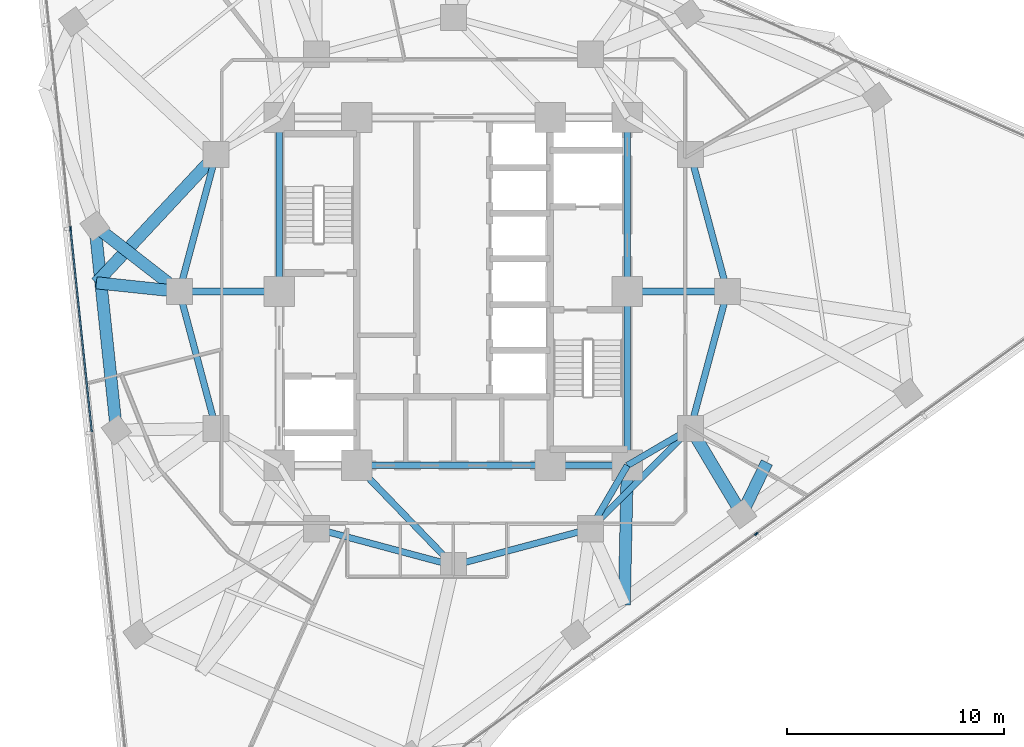
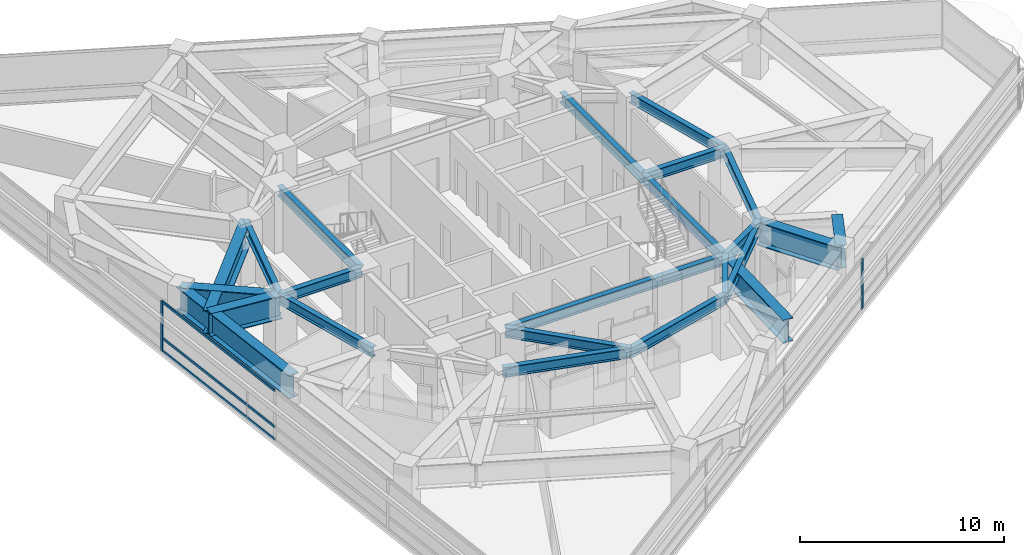
# One storey, part 3 of 14: 24 beams, 5 members, 2 elements without a shape of their own.
"""IFC4 building model written with IfcOpenShell, lengths in metres."""

import ifcopenshell
import ifcopenshell.guid

model = None  # the IFC model being written
_history = None  # IfcOwnerHistory: only IFC2X3 demands one
_inside = {}  # id of a spatial element -> (the spatial element, [elements in it])
_under = {}  # id of a project, library or spatial element -> (it, [spatial elements below it])
_declared = {}  # id of a project -> (the project, [libraries it declares])
_typed = {}  # id of a type object -> (the type object, [elements of that type])
_made_of = {}  # id of a material, layer set ... -> (it, [elements and type objects made of it])


def new_model(schema):
    """Start an empty IFC model of exactly this schema.

    Asked for "IFC4X3", IfcOpenShell would pick the latest addendum, in which some entities
    have other attributes; the version numbers below select the first issue.
    IFC2X3 requires an IfcOwnerHistory on every rooted entity: one is made here for all.
    """
    global model, _history
    if schema == "IFC4X3":
        model = ifcopenshell.file(schema_version=(4, 3, 0, 0))
    else:
        model = ifcopenshell.file(schema=schema)
    _inside.clear()
    _under.clear()
    _declared.clear()
    _typed.clear()
    _made_of.clear()
    _history = None
    if model.schema == "IFC2X3":
        org = make("IfcOrganization", Name="unknown")
        user = make(
            "IfcPersonAndOrganization",
            ThePerson=make("IfcPerson", FamilyName="unknown"),
            TheOrganization=org,
        )
        app = make(
            "IfcApplication",
            ApplicationDeveloper=org,
            Version="unknown",
            ApplicationFullName="unknown",
            ApplicationIdentifier="unknown",
        )
        _history = make(
            "IfcOwnerHistory",
            OwningUser=user,
            OwningApplication=app,
            ChangeAction="ADDED",
            CreationDate=0,
        )
    return model


def make(cls, **values):
    """One entity of the class cls with the attributes given. An attribute that is None is left unset."""
    return model.create_entity(
        cls, **{name: value for name, value in values.items() if value is not None}
    )


def rooted(cls, **values):
    """An entity with a GlobalId (a new one), such as an element, a storey or a relation."""
    return make(cls, GlobalId=ifcopenshell.guid.new(), OwnerHistory=_history, **values)


def si_unit(unit_type, name, prefix=None):
    """IfcSIUnit, for example si_unit("LENGTHUNIT", "METRE", prefix="MILLI")."""
    return make("IfcSIUnit", UnitType=unit_type, Prefix=prefix, Name=name)


def assignment(units):
    """IfcUnitAssignment: the units of a project."""
    return None if units is None else make("IfcUnitAssignment", Units=units)


def point(xyz):
    """IfcCartesianPoint."""
    return None if xyz is None else make("IfcCartesianPoint", Coordinates=xyz)


def direction(xyz):
    """IfcDirection."""
    return None if xyz is None else make("IfcDirection", DirectionRatios=xyz)


def frame(location, z_axis=None, x_axis=None):
    """IfcAxis2Placement3D, a coordinate frame: its origin and axes. An axis left out is left unset."""
    return make(
        "IfcAxis2Placement3D",
        Location=point(location),
        Axis=direction(z_axis),
        RefDirection=direction(x_axis),
    )


def frame_2d(location, x_axis=None):
    """IfcAxis2Placement2D, a coordinate frame in the plane: its origin and x axis."""
    return make(
        "IfcAxis2Placement2D", Location=point(location), RefDirection=direction(x_axis)
    )


def origin():
    """The frame at (0, 0, 0) with its axes left unset."""
    return frame((0.0, 0.0, 0.0))


def origin_2d():
    """The frame at (0, 0) in the plane with its x axis left unset."""
    return frame_2d((0.0, 0.0))


def place(relative_to, where):
    """IfcLocalPlacement: puts the frame where relative to a parent placement (None: the world)."""
    return make(
        "IfcLocalPlacement", PlacementRelTo=relative_to, RelativePlacement=where
    )


def context(
    kind, dimensions, precision=None, world=None, true_north=None, identifier=None
):
    """IfcGeometricRepresentationContext, for example the 3D "Model" context."""
    return make(
        "IfcGeometricRepresentationContext",
        ContextIdentifier=identifier,
        ContextType=kind,
        CoordinateSpaceDimension=dimensions,
        Precision=precision,
        WorldCoordinateSystem=world,
        TrueNorth=true_north,
    )


def subcontext(parent, identifier, kind, view, scale=None):
    """IfcGeometricRepresentationSubContext, for example "Body" below "Model"."""
    return make(
        "IfcGeometricRepresentationSubContext",
        ContextIdentifier=identifier,
        ContextType=kind,
        ParentContext=parent,
        TargetScale=scale,
        TargetView=view,
    )


def project(units=None, contexts=None):
    """IfcProject with its units and contexts."""
    return rooted(
        "IfcProject",
        Name="project",
        RepresentationContexts=contexts,
        UnitsInContext=assignment(units),
    )


def spatial(cls, under=None, at=None, **own):
    """A site, building, storey or space (cls), placed at a placement, below another one or the project."""
    s = rooted(cls, ObjectPlacement=at, **own)
    if under is not None:
        _under.setdefault(under.id(), (under, []))[1].append(s)
    return s


def profile(cls, at=None, kind="AREA", **sizes):
    """A parametric profile (cls). Its sizes go by their IFC names, for example OverallWidth=200.0."""
    return make(cls, ProfileType=kind, Position=at, **sizes)


def rectangle(**sizes):
    """IfcRectangleProfileDef."""
    return profile("IfcRectangleProfileDef", **sizes)


def i_section(**sizes):
    """IfcIShapeProfileDef."""
    return profile("IfcIShapeProfileDef", **sizes)


def extrude(swept, where, along, depth):
    """IfcExtrudedAreaSolid: the profile swept, set in the frame where, extruded along a direction by depth."""
    return make(
        "IfcExtrudedAreaSolid",
        SweptArea=swept,
        Position=where,
        ExtrudedDirection=direction(along),
        Depth=depth,
    )


def shape(context_of_items, identifier, shape_type, items):
    """IfcShapeRepresentation: the items that make up one representation, for example the "Body"."""
    return make(
        "IfcShapeRepresentation",
        ContextOfItems=context_of_items,
        RepresentationIdentifier=identifier,
        RepresentationType=shape_type,
        Items=items,
    )


def material(Name=None, Category=None):
    """IfcMaterial."""
    return make("IfcMaterial", Name=Name, Category=Category)


def layer(
    of_material, thickness, ventilated=None, Name=None, Category=None, Priority=None
):
    """IfcMaterialLayer: one layer of a wall or slab, of a material (None: an air gap)."""
    return make(
        "IfcMaterialLayer",
        Material=of_material,
        LayerThickness=thickness,
        IsVentilated=ventilated,
        Name=Name,
        Category=Category,
        Priority=Priority,
    )


def layer_set(layers, Name=None):
    """IfcMaterialLayerSet."""
    return make("IfcMaterialLayerSet", MaterialLayers=layers, LayerSetName=Name)


def material_profile(
    of_material, cross_section, Name=None, Category=None, Priority=None
):
    """IfcMaterialProfile: a cross section and its material."""
    return make(
        "IfcMaterialProfile",
        Name=Name,
        Material=of_material,
        Profile=cross_section,
        Priority=Priority,
        Category=Category,
    )


def profile_set(profiles, Name=None, composite=None):
    """IfcMaterialProfileSet."""
    return make(
        "IfcMaterialProfileSet",
        Name=Name,
        MaterialProfiles=profiles,
        CompositeProfile=composite,
    )


def made_of(thing, what):
    """Note that an element or type object is made of a material, layer set ...; save() writes the relation."""
    if what is not None:
        _made_of.setdefault(what.id(), (what, []))[1].append(thing)
    return thing


def type_object(cls, material=None, **own):
    """A type object (cls), such as IfcWallType, which elements share."""
    return made_of(rooted(cls, **own), material)


def element(
    cls,
    number,
    at=None,
    inside=None,
    cuts=None,
    type_object=None,
    material=None,
    context=None,
    identifier="Body",
    shape_type=None,
    held_by="IfcProductDefinitionShape",
    body=None,
    shapes=None,
    **own,
):
    """One element of the class cls, such as IfcWall. Its Tag is "e" and its number.

    at: its placement. inside: the storey or other place that contains it. cuts: it is an
    opening in that element (IfcRelVoidsElement). A single representation is given by context,
    identifier, shape_type and body (its items); several are given by shapes. held_by: the class
    of the entity that holds the representations. save() writes the other relations.
    """
    e = rooted(cls, Tag="e%d" % number, ObjectPlacement=at, **own)
    if body is not None:
        shapes = [shape(context, identifier, shape_type, body)]
    if shapes is not None:
        e.Representation = make(held_by, Representations=shapes)
    if inside is not None:
        _inside.setdefault(inside.id(), (inside, []))[1].append(e)
    if cuts is not None:
        rooted(
            "IfcRelVoidsElement", RelatingBuildingElement=cuts, RelatedOpeningElement=e
        )
    if type_object is not None:
        _typed.setdefault(type_object.id(), (type_object, []))[1].append(e)
    return made_of(e, material)


def aggregate(whole, parts):
    """IfcRelAggregates: a whole, such as a stair, and the parts it consists of."""
    return rooted("IfcRelAggregates", RelatingObject=whole, RelatedObjects=parts)


def save(model, path):
    """Write the relations noted so far, then the file.

    IfcRelAggregates (storeys below a building ...), IfcRelContainedInSpatialStructure (elements
    in a storey), IfcRelDefinesByType, IfcRelAssociatesMaterial and IfcRelDeclares: one each for
    every whole, place, type object, material and project.
    """
    for whole, parts in _under.values():
        aggregate(whole, parts)
    for where, things in _inside.values():
        rooted(
            "IfcRelContainedInSpatialStructure",
            RelatedElements=things,
            RelatingStructure=where,
        )
    for kind, things in _typed.values():
        rooted("IfcRelDefinesByType", RelatedObjects=things, RelatingType=kind)
    for what, things in _made_of.values():
        rooted("IfcRelAssociatesMaterial", RelatedObjects=things, RelatingMaterial=what)
    for by, libraries in _declared.values():
        rooted("IfcRelDeclares", RelatingContext=by, RelatedDefinitions=libraries)
    model.write(path)


model = new_model("IFC4")

# Units and contexts
model_context = context("Model", 3, precision=1e-05, world=origin(), true_north=direction((0.0, 1.0)))
body_context = subcontext(model_context, "Body", "Model", "MODEL_VIEW")
ifc_project = project(units=[si_unit("LENGTHUNIT", "METRE"), si_unit("AREAUNIT", "SQUARE_METRE"), si_unit("VOLUMEUNIT", "CUBIC_METRE"), si_unit("PLANEANGLEUNIT", "RADIAN"), si_unit("MASSUNIT", "GRAM", prefix="KILO")], contexts=[model_context])

# Site, building, storey
site_placement = place(None, origin())
site = spatial("IfcSite", under=ifc_project, at=site_placement, CompositionType="ELEMENT")
building_placement = place(site_placement, origin())
building = spatial("IfcBuilding", under=site, at=building_placement, Name="Terralouvre Media Tower", CompositionType="ELEMENT")
storey_placement = place(building_placement, frame((0.0, 0.0, 180.5)))
storey = spatial("IfcBuildingStorey", under=building, at=storey_placement, Name="L46", CompositionType="ELEMENT", Elevation=180.5)

# Curtain wall, members
ifc_material_1 = material(Name="Low-iron laminated double glazing with solar-control coating", Category="glass")
ifc_layer = layer(ifc_material_1, 0.1650390625, Name="Production Studio Tower Curtain Wall CW-03")
ifc_layer_set = layer_set([ifc_layer], Name="Low-iron laminated double glazing with solar-control coating")
curtain_wall_type = type_object("IfcCurtainWallType", Name="Production Studio Tower Curtain Wall CW-03", PredefinedType="NOTDEFINED", material=ifc_layer_set)
curtain_wall_1_placement = place(storey_placement, origin())
curtain_wall_1 = element("IfcCurtainWall", 1, at=curtain_wall_1_placement, inside=storey, type_object=curtain_wall_type, Name="L46 Facade Curtain Wall F2", PredefinedType="NOTDEFINED")
ifc_material_2 = material(Name="Anodised extruded aluminium 6063-T6", Category="aluminium")
ifc_material_profile_1 = material_profile(ifc_material_2, rectangle(XDim=0.074951171875, YDim=0.14990234375, at=origin_2d()), Name="ALU 75x150")
ifc_profile_set_1 = profile_set([ifc_material_profile_1], Name="Anodised extruded aluminium 6063-T6")
member_type_1 = type_object("IfcMemberType", Name="Curtain-Wall Horizontal Transom TR-150", PredefinedType="USERDEFINED", material=ifc_profile_set_1)
member_1_placement = place(storey_placement, frame((-17.6005859375, 2.8583984375, 0.03759765625), z_axis=(0.104512438861, -0.994523579471, 0.0), x_axis=(0.994523579471, 0.104512438861, 0.0)))
member_1 = element("IfcMember", 2, at=member_1_placement, type_object=member_type_1, Name="CW-03 transom 3.1", ObjectType="TRANSOM", PredefinedType="USERDEFINED", context=body_context, shape_type="SweptSolid", body=[
    extrude(rectangle(XDim=0.074951171875, YDim=0.14990234375, at=origin_2d()), origin(), (0.0, 0.0, 1.0), 9.364990234375),
])
member_2_placement = place(storey_placement, frame((-17.6005859375, 2.8583984375, 0.800048828125), z_axis=(0.104512438861, -0.994523579471, 0.0), x_axis=(0.994523579471, 0.104512438861, 0.0)))
member_2 = element("IfcMember", 3, at=member_2_placement, type_object=member_type_1, Name="CW-03 transom 3.2", ObjectType="TRANSOM", PredefinedType="USERDEFINED", context=body_context, shape_type="SweptSolid", body=[
    extrude(rectangle(XDim=0.074951171875, YDim=0.14990234375, at=origin_2d()), origin(), (0.0, 0.0, 1.0), 9.364990234375),
])
member_3_placement = place(storey_placement, frame((-17.6005859375, 2.8583984375, 2.96240234375), z_axis=(0.104512438861, -0.994523579471, 0.0), x_axis=(0.994523579471, 0.104512438861, 0.0)))
member_3 = element("IfcMember", 4, at=member_3_placement, type_object=member_type_1, Name="CW-03 transom 3.3", ObjectType="TRANSOM", PredefinedType="USERDEFINED", context=body_context, shape_type="SweptSolid", body=[
    extrude(rectangle(XDim=0.074951171875, YDim=0.14990234375, at=origin_2d()), origin(), (0.0, 0.0, 1.0), 9.364990234375),
])

# Curtain wall, member
curtain_wall_2_placement = place(storey_placement, origin())
curtain_wall_2 = element("IfcCurtainWall", 5, at=curtain_wall_2_placement, inside=storey, type_object=curtain_wall_type, Name="L46 Facade Curtain Wall F0", PredefinedType="NOTDEFINED")
ifc_material_3 = material(Name="Anodised extruded aluminium 6063-T6", Category="aluminium")
ifc_material_profile_2 = material_profile(ifc_material_3, rectangle(XDim=0.074951171875, YDim=0.179931640625, at=origin_2d()), Name="ALU 75x180")
ifc_profile_set_2 = profile_set([ifc_material_profile_2], Name="Anodised extruded aluminium 6063-T6")
member_type_2 = type_object("IfcMemberType", Name="Curtain-Wall Vertical Mullion ML-180", PredefinedType="MULLION", material=ifc_profile_set_2)
member_4_placement = place(storey_placement, frame((13.931640625, -11.145263671875, 0.0), z_axis=(0.0, 0.0, 1.0), x_axis=(-0.587785358263, 0.809016917383, 0.0)))
member_4 = element("IfcMember", 6, at=member_4_placement, type_object=member_type_2, Name="CW-03 mullion 4", PredefinedType="MULLION", context=body_context, shape_type="SweptSolid", body=[
    extrude(rectangle(XDim=0.074951171875, YDim=0.179931640625, at=origin_2d()), origin(), (0.0, 0.0, 1.0), 3.0),
])
aggregate(curtain_wall_2, [member_4])

# Member
member_5_placement = place(storey_placement, frame((-17.6044921875, 2.895751953125, 0.0), z_axis=(0.0, 0.0, 1.0), x_axis=(0.994521904516, 0.104528376236, 0.0)))
member_5 = element("IfcMember", 7, at=member_5_placement, type_object=member_type_2, Name="CW-03 mullion 3", PredefinedType="MULLION", context=body_context, shape_type="SweptSolid", body=[
    extrude(rectangle(XDim=0.074951171875, YDim=0.179931640625, at=origin_2d()), origin(), (0.0, 0.0, 1.0), 3.0),
])

aggregate(curtain_wall_1, [member_5, member_1, member_2, member_3])

# Beams
ifc_material_4 = material(Name="Structural steel S460M", Category="steel")
ifc_material_profile_3 = material_profile(ifc_material_4, i_section(OverallWidth=0.300048828125, OverallDepth=0.60009765625, WebThickness=0.015380859375, FlangeThickness=0.030029296875, at=origin_2d()), Name="HEB 600")
ifc_profile_set_3 = profile_set([ifc_material_profile_3], Name="Structural steel S460M")
beam_type_1 = type_object("IfcBeamType", Name="Primary Floor Girder B-HEB600 (HEB 600)", PredefinedType="BEAM", material=ifc_profile_set_3)
beam_1_placement = place(storey_placement, frame((-4.449951171875, -8.0, 3.199951171875), z_axis=(1.0, 0.0, 0.0), x_axis=(0.0, 1.0, 0.0)))
element("IfcBeam", 8, at=beam_1_placement, inside=storey, type_object=beam_type_1, Name="L46 Framing Beam BM-L46-CPR02", PredefinedType="BEAM", context=body_context, shape_type="SweptSolid", body=[
    extrude(i_section(OverallWidth=0.300048828125, OverallDepth=0.60009765625, WebThickness=0.015380859375, FlangeThickness=0.030029296875, at=origin_2d()), origin(), (0.0, 0.0, 1.0), 8.89990234375),
])
beam_2_placement = place(storey_placement, frame((4.449951171875, -8.0, 3.199951171875), z_axis=(1.0, 0.0, 0.0), x_axis=(0.0, 1.0, 0.0)))
element("IfcBeam", 9, at=beam_2_placement, inside=storey, type_object=beam_type_1, Name="L46 Framing Beam BM-L46-CPR03", PredefinedType="BEAM", context=body_context, shape_type="SweptSolid", body=[
    extrude(i_section(OverallWidth=0.300048828125, OverallDepth=0.60009765625, WebThickness=0.015380859375, FlangeThickness=0.030029296875, at=origin_2d()), origin(), (0.0, 0.0, 1.0), 3.550048828125),
])
for number, where, z_axis, x_axis, name in (
    (10, (8.0, -8.0, 3.199951171875), (0.0, 1.0, 0.0), (-1.0, 0.0, 0.0), "L46 Framing Beam BM-L46-CPR04"),
    (11, (8.0, 0.0, 3.199951171875), (0.0, 1.0, 0.0), (-1.0, 0.0, 0.0), "L46 Framing Beam BM-L46-CPR05"),
    (12, (-8.0, 8.0, 3.199951171875), (0.0, -1.0, 0.0), (1.0, 0.0, 0.0), "L46 Framing Beam BM-L46-CPR09"),
):
    element("IfcBeam", number, at=place(storey_placement, frame(where, z_axis=z_axis, x_axis=x_axis)), inside=storey, type_object=beam_type_1, Name=name, PredefinedType="BEAM", context=body_context, shape_type="SweptSolid", body=[
        extrude(i_section(OverallWidth=0.300048828125, OverallDepth=0.60009765625, WebThickness=0.015380859375, FlangeThickness=0.030029296875, at=origin_2d()), origin(), (0.0, 0.0, 1.0), 8.0),
    ])
for number, where, z_axis, x_axis, name in (
    (13, (-6.300048828125, -10.911865234375, 3.199951171875), (0.965920481897, -0.258838989821, 0.0), (0.258838989821, 0.965920481897, 0.0), "L46 Framing Beam BM-L46-MR02"),
    (14, (0.0, -12.60009765625, 3.199951171875), (0.965920481897, 0.258838989821, 0.0), (-0.258838989821, 0.965920481897, 0.0), "L46 Framing Beam BM-L46-MR03"),
):
    element("IfcBeam", number, at=place(storey_placement, frame(where, z_axis=z_axis, x_axis=x_axis)), inside=storey, type_object=beam_type_1, Name=name, PredefinedType="BEAM", context=body_context, shape_type="SweptSolid", body=[
        extrude(i_section(OverallWidth=0.300048828125, OverallDepth=0.60009765625, WebThickness=0.015380859375, FlangeThickness=0.030029296875, at=origin_2d()), origin(), (0.0, 0.0, 1.0), 6.522216796875),
    ])
beam_3_placement = place(storey_placement, frame((6.300048828125, -10.911865234375, 3.199951171875), z_axis=(0.707106781187, 0.707106781187, 0.0), x_axis=(-0.707106781187, 0.707106781187, 0.0)))
element("IfcBeam", 15, at=beam_3_placement, inside=storey, type_object=beam_type_1, Name="L46 Framing Beam BM-L46-MR04", PredefinedType="BEAM", context=body_context, shape_type="SweptSolid", body=[
    extrude(i_section(OverallWidth=0.300048828125, OverallDepth=0.60009765625, WebThickness=0.015380859375, FlangeThickness=0.030029296875, at=origin_2d()), origin(), (0.0, 0.0, 1.0), 6.52197265625),
])
for number, where, z_axis, x_axis, name in (
    (16, (10.911865234375, -6.300048828125, 3.199951171875), (0.258838989821, 0.965920481897, 0.0), (-0.965920481897, 0.258838989821, 0.0), "L46 Framing Beam BM-L46-MR05"),
    (17, (12.60009765625, 0.0, 3.199951171875), (-0.258838989821, 0.965920481897, 0.0), (-0.965920481897, -0.258838989821, 0.0), "L46 Framing Beam BM-L46-MR06"),
    (18, (-10.911865234375, 6.300048828125, 3.199951171875), (-0.258838989821, -0.965920481897, 0.0), (0.965920481897, -0.258838989821, 0.0), "L46 Framing Beam BM-L46-MR11"),
    (19, (-12.60009765625, 0.0, 3.199951171875), (0.258838989821, -0.965920481897, 0.0), (0.965920481897, 0.258838989821, 0.0), "L46 Framing Beam BM-L46-MR12"),
):
    element("IfcBeam", number, at=place(storey_placement, frame(where, z_axis=z_axis, x_axis=x_axis)), inside=storey, type_object=beam_type_1, Name=name, PredefinedType="BEAM", context=body_context, shape_type="SweptSolid", body=[
        extrude(i_section(OverallWidth=0.300048828125, OverallDepth=0.60009765625, WebThickness=0.015380859375, FlangeThickness=0.030029296875, at=origin_2d()), origin(), (0.0, 0.0, 1.0), 6.522216796875),
    ])
beam_4_placement = place(storey_placement, frame((-4.449951171875, -8.0, 3.199951171875), z_axis=(0.695279715726, -0.718739255155, 0.0), x_axis=(0.718739255155, 0.695279715726, 0.0)))
element("IfcBeam", 20, at=beam_4_placement, inside=storey, type_object=beam_type_1, Name="L46 Framing Beam BM-L46-CM03", PredefinedType="BEAM", context=body_context, shape_type="SweptSolid", body=[
    extrude(i_section(OverallWidth=0.300048828125, OverallDepth=0.60009765625, WebThickness=0.015380859375, FlangeThickness=0.030029296875, at=origin_2d()), origin(), (0.0, 0.0, 1.0), 6.400146484375),
])
for number, where, z_axis, x_axis, name in (
    (21, (8.0, -8.0, 3.199951171875), (-0.504172629717, -0.863602894532, 0.0), (0.863602894532, -0.504172629717, 0.0), "L46 Framing Beam BM-L46-CM04"),
    (22, (8.0, -8.0, 3.199951171875), (0.863602894532, 0.504172629717, 0.0), (-0.504172629717, 0.863602894532, 0.0), "L46 Framing Beam BM-L46-CM05"),
):
    element("IfcBeam", number, at=place(storey_placement, frame(where, z_axis=z_axis, x_axis=x_axis)), inside=storey, type_object=beam_type_1, Name=name, PredefinedType="BEAM", context=body_context, shape_type="SweptSolid", body=[
        extrude(i_section(OverallWidth=0.300048828125, OverallDepth=0.60009765625, WebThickness=0.015380859375, FlangeThickness=0.030029296875, at=origin_2d()), origin(), (0.0, 0.0, 1.0), 3.371826171875),
    ])
for number, where, z_axis, x_axis, name in (
    (23, (8.0, 0.0, 3.199951171875), (1.0, 0.0, 0.0), (0.0, 1.0, 0.0), "L46 Framing Beam BM-L46-CM06"),
    (24, (-8.0, 0.0, 3.199951171875), (-1.0, 0.0, 0.0), (0.0, -1.0, 0.0), "L46 Framing Beam BM-L46-CM12"),
):
    element("IfcBeam", number, at=place(storey_placement, frame(where, z_axis=z_axis, x_axis=x_axis)), inside=storey, type_object=beam_type_1, Name=name, PredefinedType="BEAM", context=body_context, shape_type="SweptSolid", body=[
        extrude(i_section(OverallWidth=0.300048828125, OverallDepth=0.60009765625, WebThickness=0.015380859375, FlangeThickness=0.030029296875, at=origin_2d()), origin(), (0.0, 0.0, 1.0), 4.60009765625),
    ])
ifc_material_5 = material(Name="Structural steel S460M", Category="steel")
ifc_material_profile_4 = material_profile(ifc_material_5, i_section(OverallWidth=0.56005859375, OverallDepth=1.39990234375, WebThickness=0.031982421875, FlangeThickness=0.050048828125, at=origin_2d()), Name="TG 1400x560")
ifc_profile_set_4 = profile_set([ifc_material_profile_4], Name="Structural steel S460M")
beam_type_2 = type_object("IfcBeamType", Name="Welded Transfer Girder TG-1400 (TG 1400x560)", PredefinedType="USERDEFINED", material=ifc_profile_set_4)
beam_5_placement = place(storey_placement, frame((-16.480712890625, 3.013916015625, 2.800048828125), z_axis=(0.104508425148, -0.994524001255, 0.0), x_axis=(0.994524001255, 0.104508425148, 0.0)))
element("IfcBeam", 25, at=beam_5_placement, inside=storey, type_object=beam_type_2, Name="L46 Framing Beam BM-L46-PR12", ObjectType="TRANSFER GIRDER", PredefinedType="USERDEFINED", context=body_context, shape_type="SweptSolid", body=[
    extrude(i_section(OverallWidth=0.56005859375, OverallDepth=1.39990234375, WebThickness=0.031982421875, FlangeThickness=0.050048828125, at=origin_2d()), origin(), (0.0, 0.0, 1.0), 9.440185546875),
])
beam_6_placement = place(storey_placement, frame((10.911865234375, -6.300048828125, 2.800048828125), z_axis=(0.514041286901, -0.857765443091, 0.0), x_axis=(0.857765443091, 0.514041286901, 0.0)))
element("IfcBeam", 26, at=beam_6_placement, inside=storey, type_object=beam_type_2, Name="L46 Framing Beam BM-L46-RD05", ObjectType="TRANSFER GIRDER", PredefinedType="USERDEFINED", context=body_context, shape_type="SweptSolid", body=[
    extrude(i_section(OverallWidth=0.56005859375, OverallDepth=1.39990234375, WebThickness=0.031982421875, FlangeThickness=0.050048828125, at=origin_2d()), origin(), (0.0, 0.0, 1.0), 4.582763671875),
])
beam_7_placement = place(storey_placement, frame((-12.60009765625, 0.0, 2.800048828125), z_axis=(-0.78978010095, 0.613390081549, 0.0), x_axis=(-0.613390081549, -0.78978010095, 0.0)))
element("IfcBeam", 27, at=beam_7_placement, inside=storey, type_object=beam_type_2, Name="L46 Framing Beam BM-L46-RD12", ObjectType="TRANSFER GIRDER", PredefinedType="USERDEFINED", context=body_context, shape_type="SweptSolid", body=[
    extrude(i_section(OverallWidth=0.56005859375, OverallDepth=1.39990234375, WebThickness=0.031982421875, FlangeThickness=0.050048828125, at=origin_2d()), origin(), (0.0, 0.0, 1.0), 4.91357421875),
])
beam_8_placement = place(storey_placement, frame((7.86083984375, -14.417236328125, 2.800048828125), z_axis=(0.021680274852, 0.999764955218, 0.0), x_axis=(-0.999764955218, 0.021680274852, 0.0)))
element("IfcBeam", 28, at=beam_8_placement, inside=storey, type_object=beam_type_2, Name="L46 Framing Beam BM-L46-TR02S2", ObjectType="TRANSFER GIRDER", PredefinedType="USERDEFINED", context=body_context, shape_type="SweptSolid", body=[
    extrude(i_section(OverallWidth=0.56005859375, OverallDepth=1.39990234375, WebThickness=0.031982421875, FlangeThickness=0.050048828125, at=origin_2d()), origin(), (0.0, 0.0, 1.0), 6.418701171875),
])
beam_9_placement = place(storey_placement, frame((14.417236328125, -7.86083984375, 2.800048828125), z_axis=(-0.436430401371, -0.89973802007, 0.0), x_axis=(0.89973802007, -0.436430401371, 0.0)))
element("IfcBeam", 29, at=beam_9_placement, inside=storey, type_object=beam_type_2, Name="L46 Framing Beam BM-L46-TR03S1", ObjectType="TRANSFER GIRDER", PredefinedType="USERDEFINED", context=body_context, shape_type="SweptSolid", body=[
    extrude(i_section(OverallWidth=0.56005859375, OverallDepth=1.39990234375, WebThickness=0.031982421875, FlangeThickness=0.050048828125, at=origin_2d()), origin(), (0.0, 0.0, 1.0), 2.63427734375),
])
beam_10_placement = place(storey_placement, frame((-16.416015625, 0.40087890625, 2.800048828125), z_axis=(0.994527048272, -0.104479425033, 0.0), x_axis=(0.104479425033, 0.994527048272, 0.0)))
element("IfcBeam", 30, at=beam_10_placement, inside=storey, type_object=beam_type_2, Name="L46 Framing Beam BM-L46-TR10S1", ObjectType="TRANSFER GIRDER", PredefinedType="USERDEFINED", context=body_context, shape_type="SweptSolid", body=[
    extrude(i_section(OverallWidth=0.56005859375, OverallDepth=1.39990234375, WebThickness=0.031982421875, FlangeThickness=0.050048828125, at=origin_2d()), origin(), (0.0, 0.0, 1.0), 3.8369140625),
])
beam_11_placement = place(storey_placement, frame((-16.416015625, 0.40087890625, 2.800048828125), z_axis=(0.682202881598, 0.731162928723, 0.0), x_axis=(-0.731162928723, 0.682202881598, 0.0)))
element("IfcBeam", 31, at=beam_11_placement, inside=storey, type_object=beam_type_2, Name="L46 Framing Beam BM-L46-TR10S2", ObjectType="TRANSFER GIRDER", PredefinedType="USERDEFINED", context=body_context, shape_type="SweptSolid", body=[
    extrude(i_section(OverallWidth=0.56005859375, OverallDepth=1.39990234375, WebThickness=0.031982421875, FlangeThickness=0.050048828125, at=origin_2d()), origin(), (0.0, 0.0, 1.0), 8.068115234375),
])

save(model, "model.ifc")
